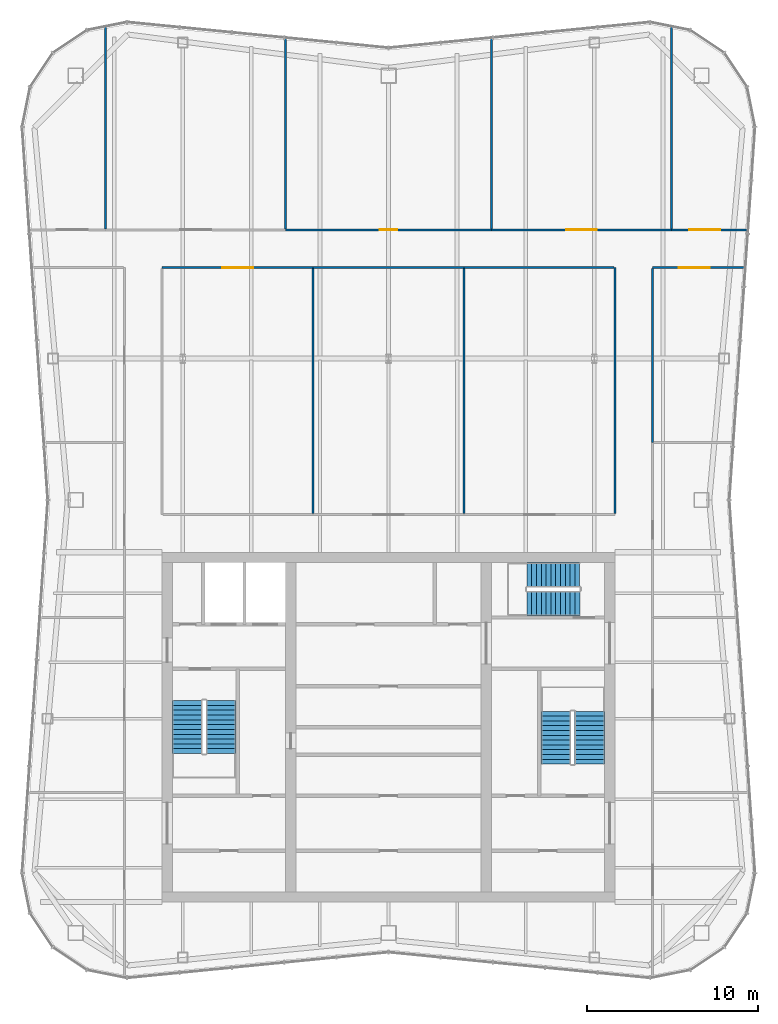
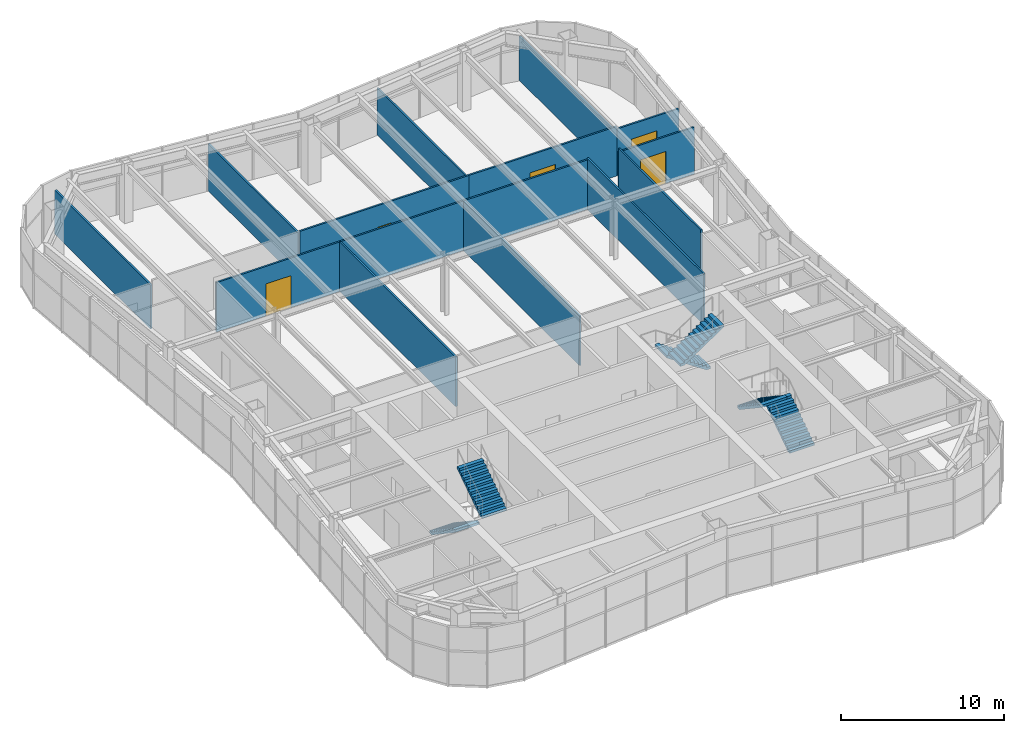
# One storey, part 11 of 13: 15 walls, 6 stair flights, 5 doors, 5 openings, 3 elements without a shape of their own.
"""IFC4 building model written with IfcOpenShell, lengths in metres."""

from ifc_helpers import new_model, si_unit, direction, frame, frame_2d, origin, place, context, subcontext, project, spatial, polyline, rectangle, outline, extrude, material, layer, layer_set, type_object, element, fill, aggregate, save


model = new_model("IFC4")

# Units and contexts
model_context = context("Model", 3, precision=1e-05, world=origin(), true_north=direction((0.0, 1.0)))
body_context = subcontext(model_context, "Body", "Model", "MODEL_VIEW")
ifc_project = project(units=[si_unit("LENGTHUNIT", "METRE"), si_unit("AREAUNIT", "SQUARE_METRE"), si_unit("VOLUMEUNIT", "CUBIC_METRE"), si_unit("PLANEANGLEUNIT", "RADIAN"), si_unit("MASSUNIT", "GRAM", prefix="KILO")], contexts=[model_context])

# Site, building, storey
site_placement = place(None, origin())
site = spatial("IfcSite", under=ifc_project, at=site_placement, CompositionType="ELEMENT")
building_placement = place(site_placement, origin())
building = spatial("IfcBuilding", under=site, at=building_placement, Name="Verdant Reach Tower", CompositionType="ELEMENT")
storey_placement = place(building_placement, frame((0.0, 0.0, 359.5)))
storey = spatial("IfcBuildingStorey", under=building, at=storey_placement, Name="L81 Plant", CompositionType="ELEMENT", Elevation=359.5)

# Wall, opening, door
ifc_material_1 = material(Name="Gypsum board on steel studs, fire rated", Category="steel")
ifc_layer = layer(ifc_material_1, 0.125)
ifc_layer_set = layer_set([ifc_layer], Name="SV-W2 Plant wall 125 EI 60")
wall_type = type_object("IfcWallType", Name="SV-W2 Plant wall 125 EI 60", PredefinedType="PARTITIONING", material=ifc_layer_set)
wall_1_placement = place(storey_placement, frame((-4.39990234375, 54.800048828125, 0.0), z_axis=(0.0, 0.0, 1.0), x_axis=(-1.0, 0.0, 0.0)))
wall_1 = element("IfcWall", 1, at=wall_1_placement, inside=storey, type_object=wall_type, Name="Partition L81.01", PredefinedType="PARTITIONING", context=body_context, shape_type="SweptSolid", body=[
    extrude(rectangle(XDim=8.800048828125, YDim=0.125, at=frame_2d((4.39990234375, 0.0))), origin(), (0.0, 0.0, 1.0), 3.719970703125),
])
opening_1_placement = place(wall_1_placement, frame((3.5, 0.0, 0.0)))
opening_1 = element("IfcOpeningElement", 2, at=opening_1_placement, cuts=wall_1, Name="Opening SD3", PredefinedType="OPENING", context=body_context, shape_type="SweptSolid", body=[
    extrude(rectangle(XDim=1.800048828125, YDim=2.39990234375, at=frame_2d((0.89990234375, 1.199951171875))), frame((0.0, 0.072509765625, 0.0), z_axis=(0.0, -1.0, 0.0), x_axis=(1.0, 0.0, 0.0)), (0.0, 0.0, 1.0), 0.14501953125),
])
ifc_material_2 = material(Name="Steel door leaves, fire rated", Category="steel")
door_type_1 = type_object("IfcDoorType", Name="SV-D3 Equipment door 1800x2400 FD60", OperationType="DOUBLE_DOOR_SINGLE_SWING", PredefinedType="DOOR", material=ifc_material_2)
door_1_placement = place(opening_1_placement, origin())
door_1 = element("IfcDoor", 3, at=door_1_placement, inside=storey, type_object=door_type_1, Name="Door L81-001", OperationType="DOUBLE_DOOR_SINGLE_SWING", OverallHeight=2.39990234375, OverallWidth=1.800048828125, PredefinedType="DOOR", context=body_context, shape_type="SweptSolid", body=[
    extrude(rectangle(XDim=1.800048828125, YDim=2.39990234375, at=frame_2d((0.89990234375, 1.199951171875))), frame((0.0, 0.02490234375, 0.0), z_axis=(0.0, -1.0, 0.0), x_axis=(1.0, 0.0, 0.0)), (0.0, 0.0, 1.0), 0.050048828125),
])
fill(opening_1, door_1)

# Walls
wall_2_placement = place(storey_placement, frame((4.39990234375, 54.800048828125, 0.0), z_axis=(0.0, 0.0, 1.0), x_axis=(-1.0, 0.0, 0.0)))
element("IfcWall", 4, at=wall_2_placement, inside=storey, type_object=wall_type, Name="Partition L81.05", PredefinedType="PARTITIONING", context=body_context, shape_type="SweptSolid", body=[
    extrude(rectangle(XDim=8.7998046875, YDim=0.125, at=frame_2d((4.39990234375, 0.0))), origin(), (0.0, 0.0, 1.0), 3.719970703125),
])
wall_3_placement = place(storey_placement, frame((13.199951171875, 40.46240234375, 0.0), z_axis=(0.0, 0.0, 1.0), x_axis=(0.0, 1.0, 0.0)))
element("IfcWall", 5, at=wall_3_placement, inside=storey, type_object=wall_type, Name="Partition L81.07", PredefinedType="PARTITIONING", context=body_context, shape_type="SweptSolid", body=[
    extrude(rectangle(XDim=14.337646484375, YDim=0.125, at=frame_2d((7.1689453125, 0.0))), origin(), (0.0, 0.0, 1.0), 3.830078125),
])
wall_4_placement = place(storey_placement, frame((13.137451171875, 54.800048828125, 0.0), z_axis=(0.0, 0.0, 1.0), x_axis=(-1.0, 0.0, 0.0)))
element("IfcWall", 6, at=wall_4_placement, inside=storey, type_object=wall_type, Name="Partition L81.08", PredefinedType="PARTITIONING", context=body_context, shape_type="SweptSolid", body=[
    extrude(rectangle(XDim=8.737548828125, YDim=0.125, at=frame_2d((4.36865234375, 0.0))), origin(), (0.0, 0.0, 1.0), 3.719970703125),
])

# Wall, opening, door
wall_5_placement = place(storey_placement, frame((20.764404296875, 54.800048828125, 0.0), z_axis=(0.0, 0.0, 1.0), x_axis=(-1.0, 0.0, 0.0)))
wall_5 = element("IfcWall", 7, at=wall_5_placement, inside=storey, type_object=wall_type, Name="Partition L81.17", PredefinedType="PARTITIONING", context=body_context, shape_type="SweptSolid", body=[
    extrude(rectangle(XDim=5.364501953125, YDim=0.125, at=frame_2d((2.68212890625, 0.0))), origin(), (0.0, 0.0, 1.0), 3.52001953125),
])
opening_2_placement = place(wall_5_placement, frame((2.048095703125, 0.0, 0.0)))
opening_2 = element("IfcOpeningElement", 8, at=opening_2_placement, cuts=wall_5, Name="Opening SD3", PredefinedType="OPENING", context=body_context, shape_type="SweptSolid", body=[
    extrude(rectangle(XDim=1.800048828125, YDim=2.39990234375, at=frame_2d((0.89990234375, 1.199951171875))), frame((0.0, 0.072509765625, 0.0), z_axis=(0.0, -1.0, 0.0), x_axis=(1.0, 0.0, 0.0)), (0.0, 0.0, 1.0), 0.14501953125),
])
door_2_placement = place(opening_2_placement, origin())
door_2 = element("IfcDoor", 9, at=door_2_placement, inside=storey, type_object=door_type_1, Name="Door L81-011", OperationType="DOUBLE_DOOR_SINGLE_SWING", OverallHeight=2.39990234375, OverallWidth=1.800048828125, PredefinedType="DOOR", context=body_context, shape_type="SweptSolid", body=[
    extrude(rectangle(XDim=1.800048828125, YDim=2.39990234375, at=frame_2d((0.89990234375, 1.199951171875))), frame((0.0, 0.02490234375, 0.0), z_axis=(0.0, -1.0, 0.0), x_axis=(1.0, 0.0, 0.0)), (0.0, 0.0, 1.0), 0.050048828125),
])
fill(opening_2, door_2)

# Wall
wall_6_placement = place(storey_placement, frame((15.39990234375, 54.737548828125, 0.0), z_axis=(0.0, 0.0, 1.0), x_axis=(0.0, -1.0, 0.0)))
element("IfcWall", 10, at=wall_6_placement, inside=storey, type_object=wall_type, Name="Partition L81.18", PredefinedType="PARTITIONING", context=body_context, shape_type="SweptSolid", body=[
    extrude(rectangle(XDim=10.137451171875, YDim=0.125, at=frame_2d((5.06884765625, 0.0))), origin(), (0.0, 0.0, 1.0), 3.830078125),
])

# Wall, opening, door
wall_7_placement = place(storey_placement, frame((6.0, 57.0, 0.0), z_axis=(0.0, 0.0, 1.0), x_axis=(-1.0, 0.0, 0.0)))
wall_7 = element("IfcWall", 11, at=wall_7_placement, inside=storey, type_object=wall_type, Name="Partition L81.21", PredefinedType="PARTITIONING", context=body_context, shape_type="SweptSolid", body=[
    extrude(rectangle(XDim=12.0, YDim=0.125, at=frame_2d((6.0, 0.0))), origin(), (0.0, 0.0, 1.0), 3.719970703125),
])
opening_3_placement = place(wall_7_placement, frame((5.5, 0.0, 0.0)))
opening_3 = element("IfcOpeningElement", 12, at=opening_3_placement, cuts=wall_7, Name="Opening SD4", PredefinedType="OPENING", context=body_context, shape_type="SweptSolid", body=[
    extrude(rectangle(XDim=1.0, YDim=2.10009765625, at=frame_2d((0.5, 1.050048828125))), frame((0.0, 0.072509765625, 0.0), z_axis=(0.0, -1.0, 0.0), x_axis=(1.0, 0.0, 0.0)), (0.0, 0.0, 1.0), 0.14501953125),
])
ifc_material_3 = material(Name="Steel door leaf, fire rated", Category="steel")
door_type_2 = type_object("IfcDoorType", Name="SV-D4 Door 1000x2100 FD120", OperationType="NOTDEFINED", PredefinedType="DOOR", material=ifc_material_3)
door_3_placement = place(opening_3_placement, origin())
door_3 = element("IfcDoor", 13, at=door_3_placement, inside=storey, type_object=door_type_2, Name="Door L81-014", OperationType="SINGLE_SWING_RIGHT", OverallHeight=2.10009765625, OverallWidth=1.0, PredefinedType="DOOR", context=body_context, shape_type="SweptSolid", body=[
    extrude(rectangle(XDim=1.0, YDim=2.10009765625, at=frame_2d((0.5, 1.050048828125))), frame((0.0, 0.02490234375, 0.0), z_axis=(0.0, -1.0, 0.0), x_axis=(1.0, 0.0, 0.0)), (0.0, 0.0, 1.0), 0.050048828125),
])
fill(opening_3, door_3)

wall_8_placement = place(storey_placement, frame((16.5, 57.0, 0.0), z_axis=(0.0, 0.0, 1.0), x_axis=(-1.0, 0.0, 0.0)))
wall_8 = element("IfcWall", 14, at=wall_8_placement, inside=storey, type_object=wall_type, Name="Partition L81.22", PredefinedType="PARTITIONING", context=body_context, shape_type="SweptSolid", body=[
    extrude(rectangle(XDim=10.5, YDim=0.125, at=frame_2d((5.25, 0.0))), origin(), (0.0, 0.0, 1.0), 3.719970703125),
])
opening_4_placement = place(wall_8_placement, frame((4.35009765625, 0.0, 0.0)))
opening_4 = element("IfcOpeningElement", 15, at=opening_4_placement, cuts=wall_8, Name="Opening SD3", PredefinedType="OPENING", context=body_context, shape_type="SweptSolid", body=[
    extrude(rectangle(XDim=1.800048828125, YDim=2.39990234375, at=frame_2d((0.89990234375, 1.199951171875))), frame((0.0, 0.072509765625, 0.0), z_axis=(0.0, -1.0, 0.0), x_axis=(1.0, 0.0, 0.0)), (0.0, 0.0, 1.0), 0.14501953125),
])
door_4_placement = place(opening_4_placement, origin())
door_4 = element("IfcDoor", 16, at=door_4_placement, inside=storey, type_object=door_type_1, Name="Door L81-015", OperationType="DOUBLE_DOOR_SINGLE_SWING", OverallHeight=2.39990234375, OverallWidth=1.800048828125, PredefinedType="DOOR", context=body_context, shape_type="SweptSolid", body=[
    extrude(rectangle(XDim=1.800048828125, YDim=2.39990234375, at=frame_2d((0.89990234375, 1.199951171875))), frame((0.0, 0.02490234375, 0.0), z_axis=(0.0, -1.0, 0.0), x_axis=(1.0, 0.0, 0.0)), (0.0, 0.0, 1.0), 0.050048828125),
])
fill(opening_4, door_4)

wall_9_placement = place(storey_placement, frame((20.916259765625, 57.0, 0.0), z_axis=(0.0, 0.0, 1.0), x_axis=(-1.0, 0.0, 0.0)))
wall_9 = element("IfcWall", 17, at=wall_9_placement, inside=storey, type_object=wall_type, Name="Partition L81.23", PredefinedType="PARTITIONING", context=body_context, shape_type="SweptSolid", body=[
    extrude(rectangle(XDim=4.416259765625, YDim=0.125, at=frame_2d((2.2080078125, 0.0))), origin(), (0.0, 0.0, 1.0), 3.52001953125),
])
opening_5_placement = place(wall_9_placement, frame((1.57373046875, 0.0, 0.0)))
opening_5 = element("IfcOpeningElement", 18, at=opening_5_placement, cuts=wall_9, Name="Opening SD3", PredefinedType="OPENING", context=body_context, shape_type="SweptSolid", body=[
    extrude(rectangle(XDim=1.800048828125, YDim=2.39990234375, at=frame_2d((0.89990234375, 1.199951171875))), frame((0.0, 0.072509765625, 0.0), z_axis=(0.0, -1.0, 0.0), x_axis=(1.0, 0.0, 0.0)), (0.0, 0.0, 1.0), 0.14501953125),
])
door_5_placement = place(opening_5_placement, origin())
door_5 = element("IfcDoor", 19, at=door_5_placement, inside=storey, type_object=door_type_1, Name="Door L81-016", OperationType="DOUBLE_DOOR_SINGLE_SWING", OverallHeight=2.39990234375, OverallWidth=1.800048828125, PredefinedType="DOOR", context=body_context, shape_type="SweptSolid", body=[
    extrude(rectangle(XDim=1.800048828125, YDim=2.39990234375, at=frame_2d((0.89990234375, 1.199951171875))), frame((0.0, 0.02490234375, 0.0), z_axis=(0.0, -1.0, 0.0), x_axis=(1.0, 0.0, 0.0)), (0.0, 0.0, 1.0), 0.050048828125),
])
fill(opening_5, door_5)

# Walls
for number, where, z_axis, x_axis, name in (
    (20, (-4.39990234375, 54.737548828125, 0.0), (0.0, 0.0, 1.0), (0.0, -1.0, 0.0), "Partition L81.24"),
    (21, (4.39990234375, 54.737548828125, 0.0), (0.0, 0.0, 1.0), (0.0, -1.0, 0.0), "Partition L81.25"),
):
    element("IfcWall", number, at=place(storey_placement, frame(where, z_axis=z_axis, x_axis=x_axis)), inside=storey, type_object=wall_type, Name=name, PredefinedType="PARTITIONING", context=body_context, shape_type="SweptSolid", body=[
        extrude(rectangle(XDim=14.275146484375, YDim=0.125, at=frame_2d((7.1376953125, 0.0))), origin(), (0.0, 0.0, 1.0), 3.719970703125),
    ])
wall_10_placement = place(storey_placement, frame((-16.5, 68.831298828125, 0.0), z_axis=(0.0, 0.0, 1.0), x_axis=(0.0, -1.0, 0.0)))
element("IfcWall", 22, at=wall_10_placement, inside=storey, type_object=wall_type, Name="Partition L81.32", PredefinedType="PARTITIONING", context=body_context, shape_type="SweptSolid", body=[
    extrude(rectangle(XDim=11.768798828125, YDim=0.125, at=frame_2d((5.88427734375, 0.0))), origin(), (0.0, 0.0, 1.0), 3.31201171875),
])
for number, where, z_axis, x_axis, name in (
    (23, (-6.0, 68.170166015625, 0.0), (0.0, 0.0, 1.0), (0.0, -1.0, 0.0), "Partition L81.33"),
    (24, (6.0, 68.170166015625, 0.0), (0.0, 0.0, 1.0), (0.0, -1.0, 0.0), "Partition L81.34"),
):
    element("IfcWall", number, at=place(storey_placement, frame(where, z_axis=z_axis, x_axis=x_axis)), inside=storey, type_object=wall_type, Name=name, PredefinedType="PARTITIONING", context=body_context, shape_type="SweptSolid", body=[
        extrude(rectangle(XDim=11.107666015625, YDim=0.125, at=frame_2d((5.5537109375, 0.0))), origin(), (0.0, 0.0, 1.0), 3.52001953125),
    ])
wall_11_placement = place(storey_placement, frame((16.5, 68.831298828125, 0.0), z_axis=(0.0, 0.0, 1.0), x_axis=(0.0, -1.0, 0.0)))
element("IfcWall", 25, at=wall_11_placement, inside=storey, type_object=wall_type, Name="Partition L81.35", PredefinedType="PARTITIONING", context=body_context, shape_type="SweptSolid", body=[
    extrude(rectangle(XDim=11.768798828125, YDim=0.125, at=frame_2d((5.88427734375, 0.0))), origin(), (0.0, 0.0, 1.0), 3.31201171875),
])

# Stair, stair flights
ifc_material_4 = material(Name="Concrete C40/50", Category="concrete")
stair_type = type_object("IfcStairType", Name="CO-STAIR", PredefinedType="HALF_TURN_STAIR", material=ifc_material_4)
stair_1_placement = place(storey_placement, origin())
stair_1 = element("IfcStair", 26, at=stair_1_placement, inside=storey, type_object=stair_type, Name="L81 Plant Exit stair 1", PredefinedType="HALF_TURN_STAIR")
stair_flight_type = type_object("IfcStairFlightType", Name="CO-STAIR-FLIGHT", PredefinedType="STRAIGHT", material=ifc_material_4)
stair_flight_1_placement = place(storey_placement, frame((-11.72509765625, 29.550048828125, 0.0), z_axis=(0.0, 0.0, 1.0), x_axis=(0.0, -1.0, 0.0)))
stair_flight_1 = element("IfcStairFlight", 27, at=stair_flight_1_placement, type_object=stair_flight_type, Name="ST-1 flight 1", NumberOfRisers=12, NumberOfTreads=11, PredefinedType="STRAIGHT", RiserHeight=0.1875, TreadLength=0.28, context=body_context, shape_type="SweptSolid", body=[
    extrude(outline(polyline([(0.0, 0.0), (0.0, 0.1875), (0.280029296875, 0.1875), (0.280029296875, 0.375), (0.56005859375, 0.375), (0.56005859375, 0.5625), (0.840087890625, 0.5625), (0.840087890625, 0.75), (1.1201171875, 0.75), (1.1201171875, 0.9375), (1.39990234375, 0.9375), (1.39990234375, 1.125), (1.679931640625, 1.125), (1.679931640625, 1.3125), (1.9599609375, 1.3125), (1.9599609375, 1.5), (2.239990234375, 1.5), (2.239990234375, 1.6875), (2.52001953125, 1.6875), (2.52001953125, 1.875), (2.800048828125, 1.875), (2.800048828125, 2.0625), (3.080078125, 2.0625), (3.080078125, 2.25), (3.080078125, 1.882080078125), (0.26953125, 0.0), (0.0, 0.0)])), frame((0.0, 0.875, 0.0), z_axis=(0.0, -1.0, 0.0), x_axis=(1.0, 0.0, 0.0)), (0.0, 0.0, 1.0), 1.75),
])
stair_flight_2_placement = place(storey_placement, frame((-9.77490234375, 26.469970703125, 2.25), z_axis=(0.0, 0.0, 1.0), x_axis=(0.0, 1.0, 0.0)))
stair_flight_2 = element("IfcStairFlight", 28, at=stair_flight_2_placement, type_object=stair_flight_type, Name="ST-1 flight 2", NumberOfRisers=12, NumberOfTreads=11, PredefinedType="STRAIGHT", RiserHeight=0.1875, TreadLength=0.28, context=body_context, shape_type="SweptSolid", body=[
    extrude(outline(polyline([(0.0, 0.0), (0.0, 0.1875), (0.280029296875, 0.1875), (0.280029296875, 0.375), (0.56005859375, 0.375), (0.56005859375, 0.5625), (0.840087890625, 0.5625), (0.840087890625, 0.75), (1.1201171875, 0.75), (1.1201171875, 0.9375), (1.39990234375, 0.9375), (1.39990234375, 1.125), (1.679931640625, 1.125), (1.679931640625, 1.3125), (1.9599609375, 1.3125), (1.9599609375, 1.5), (2.239990234375, 1.5), (2.239990234375, 1.6875), (2.52001953125, 1.6875), (2.52001953125, 1.875), (2.800048828125, 1.875), (2.800048828125, 2.0625), (3.080078125, 2.0625), (3.080078125, 2.25), (3.080078125, 1.882080078125), (0.26953125, 0.0), (0.0, 0.0)])), frame((0.0, 0.875, 0.0), z_axis=(0.0, -1.0, 0.0), x_axis=(1.0, 0.0, 0.0)), (0.0, 0.0, 1.0), 1.75),
])
aggregate(stair_1, [stair_flight_1, stair_flight_2])

stair_2_placement = place(storey_placement, origin())
stair_2 = element("IfcStair", 29, at=stair_2_placement, inside=storey, type_object=stair_type, Name="L81 Plant Exit stair 2", PredefinedType="HALF_TURN_STAIR")
stair_flight_3_placement = place(storey_placement, frame((11.72509765625, 25.85009765625, 0.0), z_axis=(0.0, 0.0, 1.0), x_axis=(0.0, 1.0, 0.0)))
stair_flight_3 = element("IfcStairFlight", 30, at=stair_flight_3_placement, type_object=stair_flight_type, Name="ST-2 flight 1", NumberOfRisers=12, NumberOfTreads=11, PredefinedType="STRAIGHT", RiserHeight=0.1875, TreadLength=0.28, context=body_context, shape_type="SweptSolid", body=[
    extrude(outline(polyline([(0.0, 0.0), (0.0, 0.1875), (0.280029296875, 0.1875), (0.280029296875, 0.375), (0.56005859375, 0.375), (0.56005859375, 0.5625), (0.840087890625, 0.5625), (0.840087890625, 0.75), (1.1201171875, 0.75), (1.1201171875, 0.9375), (1.39990234375, 0.9375), (1.39990234375, 1.125), (1.679931640625, 1.125), (1.679931640625, 1.3125), (1.9599609375, 1.3125), (1.9599609375, 1.5), (2.239990234375, 1.5), (2.239990234375, 1.6875), (2.52001953125, 1.6875), (2.52001953125, 1.875), (2.800048828125, 1.875), (2.800048828125, 2.0625), (3.080078125, 2.0625), (3.080078125, 2.25), (3.080078125, 1.882080078125), (0.26953125, 0.0), (0.0, 0.0)])), frame((0.0, 0.875, 0.0), z_axis=(0.0, -1.0, 0.0), x_axis=(1.0, 0.0, 0.0)), (0.0, 0.0, 1.0), 1.75),
])
stair_flight_4_placement = place(storey_placement, frame((9.77490234375, 28.929931640625, 2.25), z_axis=(0.0, 0.0, 1.0), x_axis=(0.0, -1.0, 0.0)))
stair_flight_4 = element("IfcStairFlight", 31, at=stair_flight_4_placement, type_object=stair_flight_type, Name="ST-2 flight 2", NumberOfRisers=12, NumberOfTreads=11, PredefinedType="STRAIGHT", RiserHeight=0.1875, TreadLength=0.28, context=body_context, shape_type="SweptSolid", body=[
    extrude(outline(polyline([(0.0, 0.0), (0.0, 0.1875), (0.280029296875, 0.1875), (0.280029296875, 0.375), (0.56005859375, 0.375), (0.56005859375, 0.5625), (0.840087890625, 0.5625), (0.840087890625, 0.75), (1.1201171875, 0.75), (1.1201171875, 0.9375), (1.39990234375, 0.9375), (1.39990234375, 1.125), (1.679931640625, 1.125), (1.679931640625, 1.3125), (1.9599609375, 1.3125), (1.9599609375, 1.5), (2.239990234375, 1.5), (2.239990234375, 1.6875), (2.52001953125, 1.6875), (2.52001953125, 1.875), (2.800048828125, 1.875), (2.800048828125, 2.0625), (3.080078125, 2.0625), (3.080078125, 2.25), (3.080078125, 1.882080078125), (0.26953125, 0.0), (0.0, 0.0)])), frame((0.0, 0.875, 0.0), z_axis=(0.0, -1.0, 0.0), x_axis=(1.0, 0.0, 0.0)), (0.0, 0.0, 1.0), 1.75),
])
aggregate(stair_2, [stair_flight_3, stair_flight_4])

stair_3_placement = place(storey_placement, origin())
stair_3 = element("IfcStair", 32, at=stair_3_placement, inside=storey, type_object=stair_type, Name="L81 Plant Exit stair 3", PredefinedType="HALF_TURN_STAIR")
stair_flight_5_placement = place(storey_placement, frame((11.14990234375, 36.875, 0.0), z_axis=(0.0, 0.0, 1.0), x_axis=(-1.0, 0.0, 0.0)))
stair_flight_5 = element("IfcStairFlight", 33, at=stair_flight_5_placement, type_object=stair_flight_type, Name="ST-3 flight 1", NumberOfRisers=12, NumberOfTreads=11, PredefinedType="STRAIGHT", RiserHeight=0.1875, TreadLength=0.28, context=body_context, shape_type="SweptSolid", body=[
    extrude(outline(polyline([(0.0, 0.0), (0.0, 0.1875), (0.280029296875, 0.1875), (0.280029296875, 0.375), (0.56005859375, 0.375), (0.56005859375, 0.5625), (0.840087890625, 0.5625), (0.840087890625, 0.75), (1.1201171875, 0.75), (1.1201171875, 0.9375), (1.39990234375, 0.9375), (1.39990234375, 1.125), (1.679931640625, 1.125), (1.679931640625, 1.3125), (1.9599609375, 1.3125), (1.9599609375, 1.5), (2.239990234375, 1.5), (2.239990234375, 1.6875), (2.52001953125, 1.6875), (2.52001953125, 1.875), (2.800048828125, 1.875), (2.800048828125, 2.0625), (3.080078125, 2.0625), (3.080078125, 2.25), (3.080078125, 1.882080078125), (0.26953125, 0.0), (0.0, 0.0)])), frame((0.0, 0.72509765625, 0.0), z_axis=(0.0, -1.0, 0.0), x_axis=(1.0, 0.0, 0.0)), (0.0, 0.0, 1.0), 1.449951171875),
])
stair_flight_6_placement = place(storey_placement, frame((8.070068359375, 35.22509765625, 2.25), z_axis=(0.0, 0.0, 1.0), x_axis=(1.0, 0.0, 0.0)))
stair_flight_6 = element("IfcStairFlight", 34, at=stair_flight_6_placement, type_object=stair_flight_type, Name="ST-3 flight 2", NumberOfRisers=12, NumberOfTreads=11, PredefinedType="STRAIGHT", RiserHeight=0.1875, TreadLength=0.28, context=body_context, shape_type="SweptSolid", body=[
    extrude(outline(polyline([(0.0, 0.0), (0.0, 0.1875), (0.280029296875, 0.1875), (0.280029296875, 0.375), (0.56005859375, 0.375), (0.56005859375, 0.5625), (0.840087890625, 0.5625), (0.840087890625, 0.75), (1.1201171875, 0.75), (1.1201171875, 0.9375), (1.39990234375, 0.9375), (1.39990234375, 1.125), (1.679931640625, 1.125), (1.679931640625, 1.3125), (1.9599609375, 1.3125), (1.9599609375, 1.5), (2.239990234375, 1.5), (2.239990234375, 1.6875), (2.52001953125, 1.6875), (2.52001953125, 1.875), (2.800048828125, 1.875), (2.800048828125, 2.0625), (3.080078125, 2.0625), (3.080078125, 2.25), (3.080078125, 1.882080078125), (0.26953125, 0.0), (0.0, 0.0)])), frame((0.0, 0.72509765625, 0.0), z_axis=(0.0, -1.0, 0.0), x_axis=(1.0, 0.0, 0.0)), (0.0, 0.0, 1.0), 1.449951171875),
])
aggregate(stair_3, [stair_flight_5, stair_flight_6])

save(model, "model.ifc")
